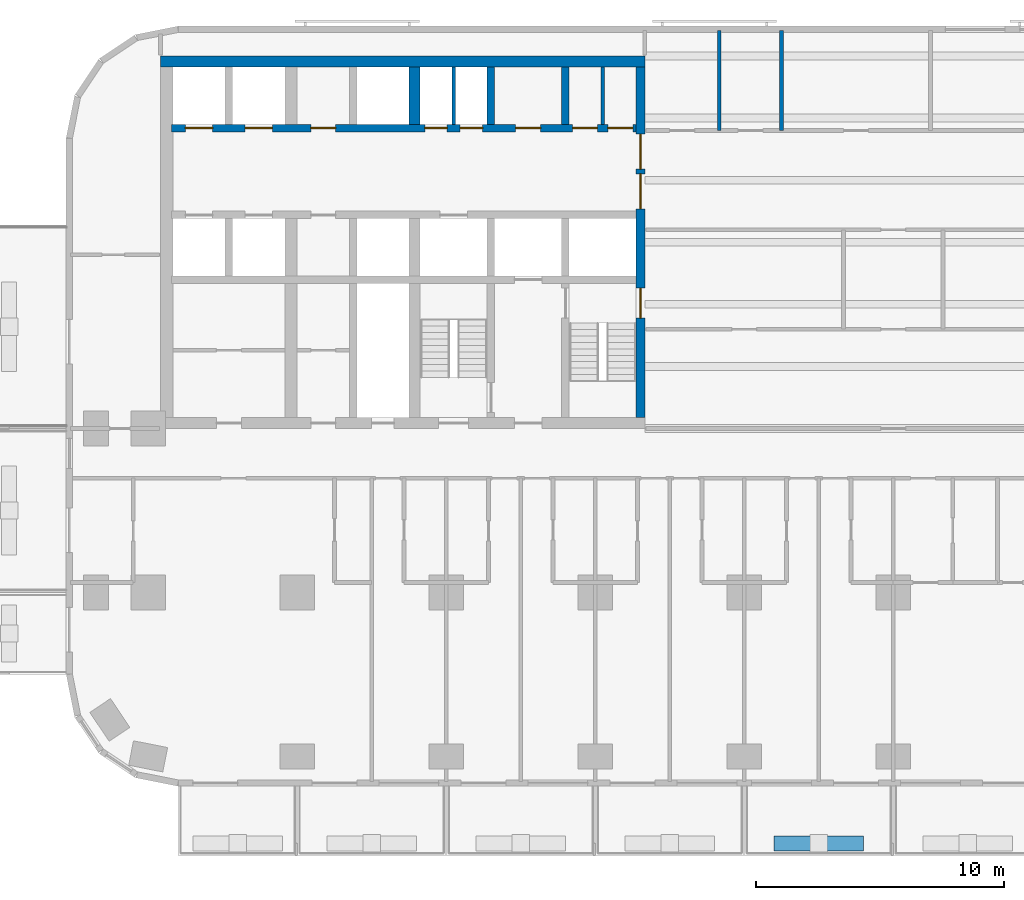
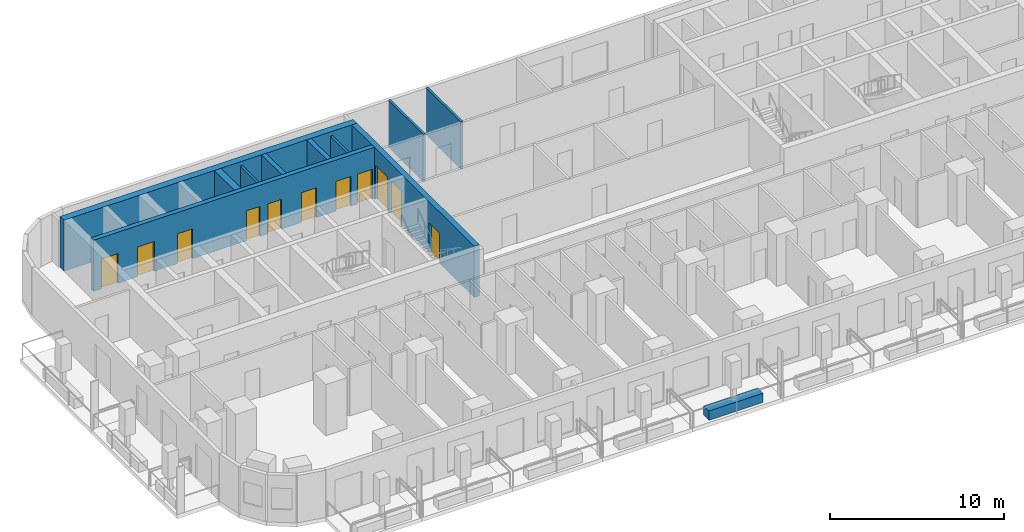
# One storey, part 4 of 14: 11 doors, 11 walls, 11 openings.
"""IFC4 building model written with IfcOpenShell, lengths in metres."""

from ifc_helpers import new_model, si_unit, direction, frame, frame_2d, origin, place, context, subcontext, project, spatial, rectangle, extrude, material, layer, layer_set, type_object, element, fill, save


model = new_model("IFC4")

# Units and contexts
model_context = context("Model", 3, precision=1e-05, world=origin(), true_north=direction((0.0, 1.0)))
body_context = subcontext(model_context, "Body", "Model", "MODEL_VIEW")
ifc_project = project(units=[si_unit("LENGTHUNIT", "METRE"), si_unit("AREAUNIT", "SQUARE_METRE"), si_unit("VOLUMEUNIT", "CUBIC_METRE"), si_unit("PLANEANGLEUNIT", "RADIAN"), si_unit("MASSUNIT", "GRAM", prefix="KILO")], contexts=[model_context])

# Site, building, storey
site_placement = place(None, origin())
site = spatial("IfcSite", under=ifc_project, at=site_placement, CompositionType="ELEMENT")
building_placement = place(site_placement, origin())
building = spatial("IfcBuilding", under=site, at=building_placement, Name="Torana Hotel and Residences", CompositionType="ELEMENT")
storey_placement = place(building_placement, frame((0.0, 0.0, 63.60009765625)))
storey = spatial("IfcBuildingStorey", under=building, at=storey_placement, Name="L15", CompositionType="ELEMENT", Elevation=63.60009765625)

# Wall, openings, doors
ifc_material_1 = material(Name="Concrete C80/95", Category="concrete")
ifc_layer_1 = layer(ifc_material_1, 0.300048828125)
ifc_layer_set_1 = layer_set([ifc_layer_1], Name="CORE WALL 300 C80/95")
wall_type_1 = type_object("IfcWallType", Name="CORE WALL 300 C80/95", PredefinedType="SHEAR", material=ifc_layer_set_1)
wall_1_placement = place(storey_placement, frame((-29.050048828125, -2.89990234375, 0.0), z_axis=(0.0, 0.0, 1.0), x_axis=(1.0, 0.0, 0.0)))
wall_1 = element("IfcWall", 1, at=wall_1_placement, inside=storey, type_object=wall_type_1, Name="Core wall W row-N", PredefinedType="SHEAR", context=body_context, shape_type="SweptSolid", body=[
    extrude(rectangle(XDim=18.699951171875, YDim=0.300048828125, at=frame_2d((9.35009765625, 0.0))), origin(), (0.0, 0.0, 1.0), 3.599853515625),
])
opening_1_placement = place(wall_1_placement, frame((2.949951171875, 0.0, 0.0)))
opening_1 = element("IfcOpeningElement", 2, at=opening_1_placement, cuts=wall_1, Name="Opening LD", PredefinedType="OPENING", context=body_context, shape_type="SweptSolid", body=[
    extrude(rectangle(XDim=1.10009765625, YDim=2.10009765625, at=frame_2d((0.550048828125, 1.050048828125))), frame((0.0, 0.159912109375, 0.0), z_axis=(0.0, -1.0, 0.0), x_axis=(1.0, 0.0, 0.0)), (0.0, 0.0, 1.0), 0.320068359375),
])
opening_2_placement = place(wall_1_placement, frame((0.550048828125, 0.0, 0.0)))
opening_2 = element("IfcOpeningElement", 3, at=opening_2_placement, cuts=wall_1, Name="Opening LD", PredefinedType="OPENING", context=body_context, shape_type="SweptSolid", body=[
    extrude(rectangle(XDim=1.10009765625, YDim=2.10009765625, at=frame_2d((0.550048828125, 1.050048828125))), frame((0.0, 0.159912109375, 0.0), z_axis=(0.0, -1.0, 0.0), x_axis=(1.0, 0.0, 0.0)), (0.0, 0.0, 1.0), 0.320068359375),
])
opening_3_placement = place(wall_1_placement, frame((11.612548828125, 0.0, 0.0)))
opening_3 = element("IfcOpeningElement", 4, at=opening_3_placement, cuts=wall_1, Name="Opening L15-09", PredefinedType="OPENING", context=body_context, shape_type="SweptSolid", body=[
    extrude(rectangle(XDim=0.89990234375, YDim=2.10009765625, at=frame_2d((0.449951171875, 1.050048828125))), frame((0.0, 0.159912109375, 0.0), z_axis=(0.0, -1.0, 0.0), x_axis=(1.0, 0.0, 0.0)), (0.0, 0.0, 1.0), 0.320068359375),
])
opening_4_placement = place(wall_1_placement, frame((10.1875, 0.0, 0.0)))
opening_4 = element("IfcOpeningElement", 5, at=opening_4_placement, cuts=wall_1, Name="Opening L15-10", PredefinedType="OPENING", context=body_context, shape_type="SweptSolid", body=[
    extrude(rectangle(XDim=0.89990234375, YDim=2.10009765625, at=frame_2d((0.449951171875, 1.050048828125))), frame((0.0, 0.159912109375, 0.0), z_axis=(0.0, -1.0, 0.0), x_axis=(1.0, 0.0, 0.0)), (0.0, 0.0, 1.0), 0.320068359375),
])
opening_5_placement = place(wall_1_placement, frame((17.5625, 0.0, 0.0)))
opening_5 = element("IfcOpeningElement", 6, at=opening_5_placement, cuts=wall_1, Name="Opening L15-11", PredefinedType="OPENING", context=body_context, shape_type="SweptSolid", body=[
    extrude(rectangle(XDim=1.0, YDim=2.10009765625, at=frame_2d((0.5, 1.050048828125))), frame((0.0, 0.159912109375, 0.0), z_axis=(0.0, -1.0, 0.0), x_axis=(1.0, 0.0, 0.0)), (0.0, 0.0, 1.0), 0.320068359375),
])
opening_6_placement = place(wall_1_placement, frame((16.137451171875, 0.0, 0.0)))
opening_6 = element("IfcOpeningElement", 7, at=opening_6_placement, cuts=wall_1, Name="Opening L15-12", PredefinedType="OPENING", context=body_context, shape_type="SweptSolid", body=[
    extrude(rectangle(XDim=1.0, YDim=2.10009765625, at=frame_2d((0.5, 1.050048828125))), frame((0.0, 0.159912109375, 0.0), z_axis=(0.0, -1.0, 0.0), x_axis=(1.0, 0.0, 0.0)), (0.0, 0.0, 1.0), 0.320068359375),
])
opening_7_placement = place(wall_1_placement, frame((13.85009765625, 0.0, 0.0)))
opening_7 = element("IfcOpeningElement", 8, at=opening_7_placement, cuts=wall_1, Name="Opening L15-13", PredefinedType="OPENING", context=body_context, shape_type="SweptSolid", body=[
    extrude(rectangle(XDim=1.0, YDim=2.10009765625, at=frame_2d((0.5, 1.050048828125))), frame((0.0, 0.159912109375, 0.0), z_axis=(0.0, -1.0, 0.0), x_axis=(1.0, 0.0, 0.0)), (0.0, 0.0, 1.0), 0.320068359375),
])
opening_8_placement = place(wall_1_placement, frame((5.60009765625, 0.0, 0.0)))
opening_8 = element("IfcOpeningElement", 9, at=opening_8_placement, cuts=wall_1, Name="Opening L15-14", PredefinedType="OPENING", context=body_context, shape_type="SweptSolid", body=[
    extrude(rectangle(XDim=1.0, YDim=2.10009765625, at=frame_2d((0.5, 1.050048828125))), frame((0.0, 0.159912109375, 0.0), z_axis=(0.0, -1.0, 0.0), x_axis=(1.0, 0.0, 0.0)), (0.0, 0.0, 1.0), 0.320068359375),
])
ifc_material_2 = material(Name="Steel S235", Category="steel")
door_type_1 = type_object("IfcDoorType", Name="CORE ROOM FIRE DOOR D14 1000x2100", OperationType="SINGLE_SWING_LEFT", PredefinedType="DOOR", material=ifc_material_2)
door_1_placement = place(opening_5_placement, origin())
door_1 = element("IfcDoor", 10, at=door_1_placement, inside=storey, type_object=door_type_1, Name="N0A door L15", OperationType="SINGLE_SWING_RIGHT", OverallHeight=2.10009765625, OverallWidth=1.0, PredefinedType="DOOR", context=body_context, shape_type="SweptSolid", body=[
    extrude(rectangle(XDim=1.0, YDim=2.10009765625, at=frame_2d((0.5, 1.050048828125))), frame((0.0, 0.02490234375, 0.0), z_axis=(0.0, -1.0, 0.0), x_axis=(1.0, 0.0, 0.0)), (0.0, 0.0, 1.0), 0.050048828125),
])
fill(opening_5, door_1)
door_2_placement = place(opening_6_placement, origin())
door_2 = element("IfcDoor", 11, at=door_2_placement, inside=storey, type_object=door_type_1, Name="N0B door L15", OperationType="SINGLE_SWING_RIGHT", OverallHeight=2.10009765625, OverallWidth=1.0, PredefinedType="DOOR", context=body_context, shape_type="SweptSolid", body=[
    extrude(rectangle(XDim=1.0, YDim=2.10009765625, at=frame_2d((0.5, 1.050048828125))), frame((0.0, 0.02490234375, 0.0), z_axis=(0.0, -1.0, 0.0), x_axis=(1.0, 0.0, 0.0)), (0.0, 0.0, 1.0), 0.050048828125),
])
fill(opening_6, door_2)
door_3_placement = place(opening_7_placement, origin())
door_3 = element("IfcDoor", 12, at=door_3_placement, inside=storey, type_object=door_type_1, Name="N1 door L15", OperationType="SINGLE_SWING_RIGHT", OverallHeight=2.10009765625, OverallWidth=1.0, PredefinedType="DOOR", context=body_context, shape_type="SweptSolid", body=[
    extrude(rectangle(XDim=1.0, YDim=2.10009765625, at=frame_2d((0.5, 1.050048828125))), frame((0.0, 0.02490234375, 0.0), z_axis=(0.0, -1.0, 0.0), x_axis=(1.0, 0.0, 0.0)), (0.0, 0.0, 1.0), 0.050048828125),
])
fill(opening_7, door_3)
door_4_placement = place(opening_8_placement, origin())
door_4 = element("IfcDoor", 13, at=door_4_placement, inside=storey, type_object=door_type_1, Name="Free-M1 door L15", OperationType="SINGLE_SWING_RIGHT", OverallHeight=2.10009765625, OverallWidth=1.0, PredefinedType="DOOR", context=body_context, shape_type="SweptSolid", body=[
    extrude(rectangle(XDim=1.0, YDim=2.10009765625, at=frame_2d((0.5, 1.050048828125))), frame((0.0, 0.02490234375, 0.0), z_axis=(0.0, -1.0, 0.0), x_axis=(1.0, 0.0, 0.0)), (0.0, 0.0, 1.0), 0.050048828125),
])
fill(opening_8, door_4)
ifc_material_3 = material(Name="Stainless steel 316", Category="steel")
door_type_2 = type_object("IfcDoorType", Name="LIFT LANDING DOOR LD 1100x2100", OperationType="DOUBLE_DOOR_SLIDING", PredefinedType="USERDEFINED", material=ifc_material_3)
door_5_placement = place(opening_1_placement, origin())
door_5 = element("IfcDoor", 14, at=door_5_placement, inside=storey, type_object=door_type_2, Name="Lift landing door L1 L15", ObjectType="LIFT LANDING DOOR", OperationType="DOUBLE_DOOR_SLIDING", OverallHeight=2.10009765625, OverallWidth=1.10009765625, PredefinedType="USERDEFINED", context=body_context, shape_type="SweptSolid", body=[
    extrude(rectangle(XDim=1.10009765625, YDim=2.10009765625, at=frame_2d((0.550048828125, 1.050048828125))), frame((0.0, 0.02490234375, 0.0), z_axis=(0.0, -1.0, 0.0), x_axis=(1.0, 0.0, 0.0)), (0.0, 0.0, 1.0), 0.050048828125),
])
fill(opening_1, door_5)
door_6_placement = place(opening_2_placement, origin())
door_6 = element("IfcDoor", 15, at=door_6_placement, inside=storey, type_object=door_type_2, Name="Lift landing door L2 L15", ObjectType="LIFT LANDING DOOR", OperationType="DOUBLE_DOOR_SLIDING", OverallHeight=2.10009765625, OverallWidth=1.10009765625, PredefinedType="USERDEFINED", context=body_context, shape_type="SweptSolid", body=[
    extrude(rectangle(XDim=1.10009765625, YDim=2.10009765625, at=frame_2d((0.550048828125, 1.050048828125))), frame((0.0, 0.02490234375, 0.0), z_axis=(0.0, -1.0, 0.0), x_axis=(1.0, 0.0, 0.0)), (0.0, 0.0, 1.0), 0.050048828125),
])
fill(opening_2, door_6)
ifc_material_4 = material(Name="Steel S235", Category="steel")
door_type_3 = type_object("IfcDoorType", Name="RISER ACCESS DOOR D5 900x2100", OperationType="SINGLE_SWING_LEFT", PredefinedType="DOOR", material=ifc_material_4)
door_7_placement = place(opening_3_placement, origin())
door_7 = element("IfcDoor", 16, at=door_7_placement, inside=storey, type_object=door_type_3, Name="N2A door L15", OperationType="SINGLE_SWING_RIGHT", OverallHeight=2.10009765625, OverallWidth=0.89990234375, PredefinedType="DOOR", context=body_context, shape_type="SweptSolid", body=[
    extrude(rectangle(XDim=0.89990234375, YDim=2.10009765625, at=frame_2d((0.449951171875, 1.050048828125))), frame((0.0, 0.02490234375, 0.0), z_axis=(0.0, -1.0, 0.0), x_axis=(1.0, 0.0, 0.0)), (0.0, 0.0, 1.0), 0.050048828125),
])
fill(opening_3, door_7)
door_8_placement = place(opening_4_placement, origin())
door_8 = element("IfcDoor", 17, at=door_8_placement, inside=storey, type_object=door_type_3, Name="N2B door L15", OperationType="SINGLE_SWING_RIGHT", OverallHeight=2.10009765625, OverallWidth=0.89990234375, PredefinedType="DOOR", context=body_context, shape_type="SweptSolid", body=[
    extrude(rectangle(XDim=0.89990234375, YDim=2.10009765625, at=frame_2d((0.449951171875, 1.050048828125))), frame((0.0, 0.02490234375, 0.0), z_axis=(0.0, -1.0, 0.0), x_axis=(1.0, 0.0, 0.0)), (0.0, 0.0, 1.0), 0.050048828125),
])
fill(opening_4, door_8)

# Walls
for number, where, z_axis, x_axis, name in (
    (18, (-13.199951171875, -2.75, 0.0), (0.0, 0.0, 1.0), (0.0, 1.0, 0.0), "Core wall W x3.05-N"),
    (19, (-16.199951171875, -2.75, 0.0), (0.0, 0.0, 1.0), (0.0, 1.0, 0.0), "Core wall W x6.05-N"),
):
    element("IfcWall", number, at=place(storey_placement, frame(where, z_axis=z_axis, x_axis=x_axis)), inside=storey, type_object=wall_type_1, Name=name, PredefinedType="SHEAR", context=body_context, shape_type="SweptSolid", body=[
        extrude(rectangle(XDim=2.300048828125, YDim=0.300048828125, at=frame_2d((1.14990234375, 0.0))), origin(), (0.0, 0.0, 1.0), 3.599853515625),
    ])

# Wall, openings, doors
ifc_material_5 = material(Name="Concrete C80/95", Category="concrete")
ifc_layer_2 = layer(ifc_material_5, 0.35009765625)
ifc_layer_set_2 = layer_set([ifc_layer_2], Name="CORE WALL 350 C80/95")
wall_type_2 = type_object("IfcWallType", Name="CORE WALL 350 C80/95", PredefinedType="SHEAR", material=ifc_layer_set_2)
wall_2_placement = place(storey_placement, frame((-10.175048828125, -14.550048828125, 0.0), z_axis=(0.0, 0.0, 1.0), x_axis=(0.0, 1.0, 0.0)))
wall_2 = element("IfcWall", 20, at=wall_2_placement, inside=storey, type_object=wall_type_2, Name="Core wall W arch", PredefinedType="SHEAR", context=body_context, shape_type="SweptSolid", body=[
    extrude(rectangle(XDim=14.10009765625, YDim=0.35009765625, at=frame_2d((7.050048828125, 0.0))), origin(), (0.0, 0.0, 1.0), 3.599853515625),
])
opening_9_placement = place(wall_2_placement, frame((8.39990234375, 0.0, 0.0)))
opening_9 = element("IfcOpeningElement", 21, at=opening_9_placement, cuts=wall_2, Name="Opening L15-01", PredefinedType="OPENING", context=body_context, shape_type="SweptSolid", body=[
    extrude(rectangle(XDim=1.39990234375, YDim=2.39990234375, at=frame_2d((0.699951171875, 1.199951171875))), frame((0.0, 0.18505859375, 0.0), z_axis=(0.0, -1.0, 0.0), x_axis=(1.0, 0.0, 0.0)), (0.0, 0.0, 1.0), 0.3701171875),
])
opening_10_placement = place(wall_2_placement, frame((10.0, 0.0, 0.0)))
opening_10 = element("IfcOpeningElement", 22, at=opening_10_placement, cuts=wall_2, Name="Opening L15-02", PredefinedType="OPENING", context=body_context, shape_type="SweptSolid", body=[
    extrude(rectangle(XDim=1.39990234375, YDim=2.39990234375, at=frame_2d((0.699951171875, 1.199951171875))), frame((0.0, 0.18505859375, 0.0), z_axis=(0.0, -1.0, 0.0), x_axis=(1.0, 0.0, 0.0)), (0.0, 0.0, 1.0), 0.3701171875),
])
opening_11_placement = place(wall_2_placement, frame((4.0, 0.0, 0.0)))
opening_11 = element("IfcOpeningElement", 23, at=opening_11_placement, cuts=wall_2, Name="Opening L15-03", PredefinedType="OPENING", context=body_context, shape_type="SweptSolid", body=[
    extrude(rectangle(XDim=1.199951171875, YDim=2.10009765625, at=frame_2d((0.60009765625, 1.050048828125))), frame((0.0, 0.18505859375, 0.0), z_axis=(0.0, -1.0, 0.0), x_axis=(1.0, 0.0, 0.0)), (0.0, 0.0, 1.0), 0.3701171875),
])
ifc_material_6 = material(Name="Steel S235", Category="steel")
door_type_4 = type_object("IfcDoorType", Name="LOBBY FIRE DOOR D4 1400x2400", OperationType="DOUBLE_DOOR_SINGLE_SWING", PredefinedType="DOOR", material=ifc_material_6)
door_9_placement = place(opening_9_placement, origin())
door_9 = element("IfcDoor", 24, at=door_9_placement, inside=storey, type_object=door_type_4, Name="Lobby-1 door L15", OperationType="DOUBLE_DOOR_SINGLE_SWING", OverallHeight=2.39990234375, OverallWidth=1.39990234375, PredefinedType="DOOR", context=body_context, shape_type="SweptSolid", body=[
    extrude(rectangle(XDim=1.39990234375, YDim=2.39990234375, at=frame_2d((0.699951171875, 1.199951171875))), frame((0.0, 0.02490234375, 0.0), z_axis=(0.0, -1.0, 0.0), x_axis=(1.0, 0.0, 0.0)), (0.0, 0.0, 1.0), 0.050048828125),
])
fill(opening_9, door_9)
door_10_placement = place(opening_10_placement, origin())
door_10 = element("IfcDoor", 25, at=door_10_placement, inside=storey, type_object=door_type_4, Name="Lobby-2 door L15", OperationType="DOUBLE_DOOR_SINGLE_SWING", OverallHeight=2.39990234375, OverallWidth=1.39990234375, PredefinedType="DOOR", context=body_context, shape_type="SweptSolid", body=[
    extrude(rectangle(XDim=1.39990234375, YDim=2.39990234375, at=frame_2d((0.699951171875, 1.199951171875))), frame((0.0, 0.02490234375, 0.0), z_axis=(0.0, -1.0, 0.0), x_axis=(1.0, 0.0, 0.0)), (0.0, 0.0, 1.0), 0.050048828125),
])
fill(opening_10, door_10)
ifc_material_7 = material(Name="Steel S235", Category="steel")
door_type_5 = type_object("IfcDoorType", Name="STAIR FIRE DOOR D3 1200x2100", OperationType="SINGLE_SWING_LEFT", PredefinedType="DOOR", material=ifc_material_7)
door_11_placement = place(opening_11_placement, origin())
door_11 = element("IfcDoor", 26, at=door_11_placement, inside=storey, type_object=door_type_5, Name="Stair-A door L15", OperationType="SINGLE_SWING_LEFT", OverallHeight=2.10009765625, OverallWidth=1.199951171875, PredefinedType="DOOR", context=body_context, shape_type="SweptSolid", body=[
    extrude(rectangle(XDim=1.199951171875, YDim=2.10009765625, at=frame_2d((0.60009765625, 1.050048828125))), frame((0.0, 0.02490234375, 0.0), z_axis=(0.0, -1.0, 0.0), x_axis=(1.0, 0.0, 0.0)), (0.0, 0.0, 1.0), 0.050048828125),
])
fill(opening_11, door_11)

# Walls
ifc_material_8 = material(Name="Concrete C80/95", Category="concrete")
ifc_layer_3 = layer(ifc_material_8, 0.449951171875)
ifc_layer_set_3 = layer_set([ifc_layer_3], Name="CORE WALL 450 C80/95")
wall_type_3 = type_object("IfcWallType", Name="CORE WALL 450 C80/95", PredefinedType="SHEAR", material=ifc_layer_set_3)
wall_3_placement = place(storey_placement, frame((-29.5, -0.22509765625, 0.0), z_axis=(0.0, 0.0, 1.0), x_axis=(1.0, 0.0, 0.0)))
element("IfcWall", 27, at=wall_3_placement, inside=storey, type_object=wall_type_3, Name="Core wall W rear", PredefinedType="SHEAR", context=body_context, shape_type="SweptSolid", body=[
    extrude(rectangle(XDim=19.5, YDim=0.449951171875, at=frame_2d((9.75, 0.0))), origin(), (0.0, 0.0, 1.0), 3.599853515625),
])
wall_4_placement = place(storey_placement, frame((-19.27490234375, -2.75, 0.0), z_axis=(0.0, 0.0, 1.0), x_axis=(0.0, 1.0, 0.0)))
element("IfcWall", 28, at=wall_4_placement, inside=storey, type_object=wall_type_3, Name="Core wall W hm-N", PredefinedType="SHEAR", context=body_context, shape_type="SweptSolid", body=[
    extrude(rectangle(XDim=2.300048828125, YDim=0.449951171875, at=frame_2d((1.14990234375, 0.0))), origin(), (0.0, 0.0, 1.0), 3.599853515625),
])
ifc_material_9 = material(Name="Gypsum plaster")
ifc_layer_4 = layer(ifc_material_9, 0.014892578125, Name="Plaster", Category="finish")
ifc_material_10 = material(Name="Concrete blockwork", Category="masonry")
ifc_layer_5 = layer(ifc_material_10, 0.1201171875, Name="Blockwork", Category="structure")
ifc_layer_6 = layer(ifc_material_9, 0.014892578125, Name="Plaster", Category="finish")
ifc_layer_set_4 = layer_set([ifc_layer_4, ifc_layer_5, ifc_layer_6], Name="FIRE PARTITION 150 BLOCKWORK")
wall_type_4 = type_object("IfcWallType", Name="FIRE PARTITION 150 BLOCKWORK", PredefinedType="PARTITIONING", material=ifc_layer_set_4)
for number, where, z_axis, x_axis, name in (
    (29, (-17.699951171875, -2.75, 0.0), (0.0, 0.0, 1.0), (0.0, 1.0, 0.0), "Core partition L15"),
    (30, (-11.699951171875, -2.75, 0.0), (0.0, 0.0, 1.0), (0.0, 1.0, 0.0), "Core partition L15"),
):
    element("IfcWall", number, at=place(storey_placement, frame(where, z_axis=z_axis, x_axis=x_axis)), inside=storey, type_object=wall_type_4, Name=name, PredefinedType="PARTITIONING", context=body_context, shape_type="SweptSolid", body=[
        extrude(rectangle(XDim=2.300048828125, YDim=0.14990234375, at=frame_2d((1.14990234375, 0.0))), origin(), (0.0, 0.0, 1.0), 3.2998046875),
    ])
ifc_material_11 = material(Name="Concrete C40/50 precast", Category="concrete")
ifc_layer_7 = layer(ifc_material_11, 0.10009765625, Name="Planter shell", Category="structure")
ifc_material_12 = material(Name="Root resistant membrane")
ifc_layer_8 = layer(ifc_material_12, 0.00390625, Name="Waterproofing membrane", Category="membrane")
ifc_material_13 = material(Name="Drainage board with filter fleece")
ifc_layer_9 = layer(ifc_material_13, 0.02001953125, Name="Drainage board", Category="drainage")
ifc_material_14 = material(Name="Growing medium")
ifc_layer_10 = layer(ifc_material_14, 0.47607421875, Name="Planting substrate", Category="soil")
ifc_layer_set_5 = layer_set([ifc_layer_7, ifc_layer_8, ifc_layer_9, ifc_layer_10], Name="PL1 BALCONY PLANTER 600")
wall_type_5 = type_object("IfcWallType", Name="PL1 BALCONY PLANTER 600", PredefinedType="USERDEFINED", material=ifc_layer_set_5)
wall_5_placement = place(storey_placement, frame((-1.199951171875, -31.699951171875, 0.0), z_axis=(0.0, 0.0, 1.0), x_axis=(-1.0, 0.0, 0.0)))
element("IfcWall", 31, at=wall_5_placement, inside=storey, type_object=wall_type_5, Name="Planter 05", ObjectType="PLANTER", PredefinedType="USERDEFINED", context=body_context, shape_type="SweptSolid", body=[
    extrude(rectangle(XDim=3.60009765625, YDim=0.60009765625, at=frame_2d((1.800048828125, 0.0))), origin(), (0.0, 0.0, 1.0), 0.64990234375),
])
ifc_material_15 = material(Name="Ceramic tile on adhesive")
ifc_layer_11 = layer(ifc_material_15, 0.010009765625, Name="Wall tile", Category="finish")
ifc_material_16 = material(Name="Cement render")
ifc_layer_12 = layer(ifc_material_16, 0.010009765625, Name="Render", Category="finish")
ifc_layer_13 = layer(ifc_material_10, 0.110107421875, Name="Blockwork", Category="structure")
ifc_layer_14 = layer(ifc_material_16, 0.010009765625, Name="Render", Category="finish")
ifc_layer_15 = layer(ifc_material_15, 0.010009765625, Name="Wall tile", Category="finish")
ifc_layer_set_6 = layer_set([ifc_layer_11, ifc_layer_12, ifc_layer_13, ifc_layer_14, ifc_layer_15], Name="WC PARTITION 150")
wall_type_6 = type_object("IfcWallType", Name="WC PARTITION 150", PredefinedType="PLUMBINGWALL", material=ifc_layer_set_6)
for number, where, z_axis, x_axis, name in (
    (32, (-4.5, -3.0, 0.0), (0.0, 0.0, 1.0), (0.0, 1.0, 0.0), "Partition L15"),
    (33, (-7.0, -3.0, 0.0), (0.0, 0.0, 1.0), (0.0, 1.0, 0.0), "Partition L15"),
):
    element("IfcWall", number, at=place(storey_placement, frame(where, z_axis=z_axis, x_axis=x_axis)), inside=storey, type_object=wall_type_6, Name=name, PredefinedType="PLUMBINGWALL", context=body_context, shape_type="SweptSolid", body=[
        extrude(rectangle(XDim=4.02001953125, YDim=0.14990234375, at=frame_2d((2.010009765625, 0.0))), origin(), (0.0, 0.0, 1.0), 3.31982421875),
    ])

save(model, "model.ifc")
